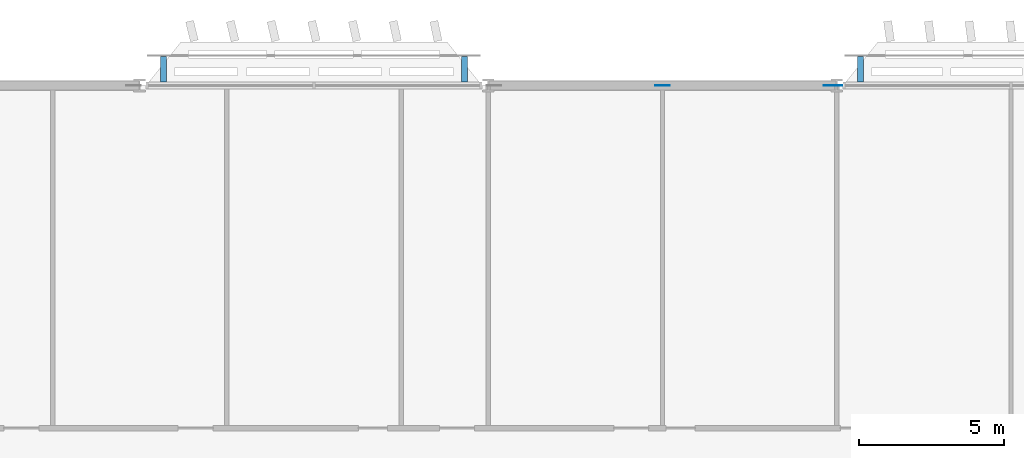
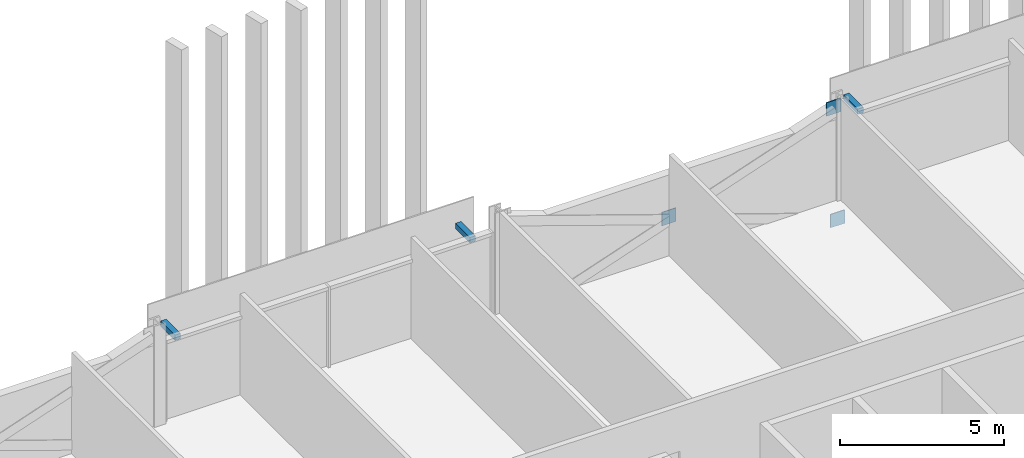
# One storey, part 21 of 33: 6 discrete accessories.
"""IFC4 building model written with IfcOpenShell, lengths in metres."""

import ifcopenshell
import ifcopenshell.guid

model = None  # the IFC model being written
_history = None  # IfcOwnerHistory: only IFC2X3 demands one
_inside = {}  # id of a spatial element -> (the spatial element, [elements in it])
_under = {}  # id of a project, library or spatial element -> (it, [spatial elements below it])
_declared = {}  # id of a project -> (the project, [libraries it declares])
_typed = {}  # id of a type object -> (the type object, [elements of that type])
_made_of = {}  # id of a material, layer set ... -> (it, [elements and type objects made of it])


def new_model(schema):
    """Start an empty IFC model of exactly this schema.

    Asked for "IFC4X3", IfcOpenShell would pick the latest addendum, in which some entities
    have other attributes; the version numbers below select the first issue.
    IFC2X3 requires an IfcOwnerHistory on every rooted entity: one is made here for all.
    """
    global model, _history
    if schema == "IFC4X3":
        model = ifcopenshell.file(schema_version=(4, 3, 0, 0))
    else:
        model = ifcopenshell.file(schema=schema)
    _inside.clear()
    _under.clear()
    _declared.clear()
    _typed.clear()
    _made_of.clear()
    _history = None
    if model.schema == "IFC2X3":
        org = make("IfcOrganization", Name="unknown")
        user = make(
            "IfcPersonAndOrganization",
            ThePerson=make("IfcPerson", FamilyName="unknown"),
            TheOrganization=org,
        )
        app = make(
            "IfcApplication",
            ApplicationDeveloper=org,
            Version="unknown",
            ApplicationFullName="unknown",
            ApplicationIdentifier="unknown",
        )
        _history = make(
            "IfcOwnerHistory",
            OwningUser=user,
            OwningApplication=app,
            ChangeAction="ADDED",
            CreationDate=0,
        )
    return model


def make(cls, **values):
    """One entity of the class cls with the attributes given. An attribute that is None is left unset."""
    return model.create_entity(
        cls, **{name: value for name, value in values.items() if value is not None}
    )


def rooted(cls, **values):
    """An entity with a GlobalId (a new one), such as an element, a storey or a relation."""
    return make(cls, GlobalId=ifcopenshell.guid.new(), OwnerHistory=_history, **values)


def si_unit(unit_type, name, prefix=None):
    """IfcSIUnit, for example si_unit("LENGTHUNIT", "METRE", prefix="MILLI")."""
    return make("IfcSIUnit", UnitType=unit_type, Prefix=prefix, Name=name)


def assignment(units):
    """IfcUnitAssignment: the units of a project."""
    return None if units is None else make("IfcUnitAssignment", Units=units)


def point(xyz):
    """IfcCartesianPoint."""
    return None if xyz is None else make("IfcCartesianPoint", Coordinates=xyz)


def direction(xyz):
    """IfcDirection."""
    return None if xyz is None else make("IfcDirection", DirectionRatios=xyz)


def frame(location, z_axis=None, x_axis=None):
    """IfcAxis2Placement3D, a coordinate frame: its origin and axes. An axis left out is left unset."""
    return make(
        "IfcAxis2Placement3D",
        Location=point(location),
        Axis=direction(z_axis),
        RefDirection=direction(x_axis),
    )


def frame_2d(location, x_axis=None):
    """IfcAxis2Placement2D, a coordinate frame in the plane: its origin and x axis."""
    return make(
        "IfcAxis2Placement2D", Location=point(location), RefDirection=direction(x_axis)
    )


def origin():
    """The frame at (0, 0, 0) with its axes left unset."""
    return frame((0.0, 0.0, 0.0))


def origin_2d():
    """The frame at (0, 0) in the plane with its x axis left unset."""
    return frame_2d((0.0, 0.0))


def place(relative_to, where):
    """IfcLocalPlacement: puts the frame where relative to a parent placement (None: the world)."""
    return make(
        "IfcLocalPlacement", PlacementRelTo=relative_to, RelativePlacement=where
    )


def context(
    kind, dimensions, precision=None, world=None, true_north=None, identifier=None
):
    """IfcGeometricRepresentationContext, for example the 3D "Model" context."""
    return make(
        "IfcGeometricRepresentationContext",
        ContextIdentifier=identifier,
        ContextType=kind,
        CoordinateSpaceDimension=dimensions,
        Precision=precision,
        WorldCoordinateSystem=world,
        TrueNorth=true_north,
    )


def subcontext(parent, identifier, kind, view, scale=None):
    """IfcGeometricRepresentationSubContext, for example "Body" below "Model"."""
    return make(
        "IfcGeometricRepresentationSubContext",
        ContextIdentifier=identifier,
        ContextType=kind,
        ParentContext=parent,
        TargetScale=scale,
        TargetView=view,
    )


def project(units=None, contexts=None):
    """IfcProject with its units and contexts."""
    return rooted(
        "IfcProject",
        Name="project",
        RepresentationContexts=contexts,
        UnitsInContext=assignment(units),
    )


def spatial(cls, under=None, at=None, **own):
    """A site, building, storey or space (cls), placed at a placement, below another one or the project."""
    s = rooted(cls, ObjectPlacement=at, **own)
    if under is not None:
        _under.setdefault(under.id(), (under, []))[1].append(s)
    return s


def profile(cls, at=None, kind="AREA", **sizes):
    """A parametric profile (cls). Its sizes go by their IFC names, for example OverallWidth=200.0."""
    return make(cls, ProfileType=kind, Position=at, **sizes)


def rectangle(**sizes):
    """IfcRectangleProfileDef."""
    return profile("IfcRectangleProfileDef", **sizes)


def extrude(swept, where, along, depth):
    """IfcExtrudedAreaSolid: the profile swept, set in the frame where, extruded along a direction by depth."""
    return make(
        "IfcExtrudedAreaSolid",
        SweptArea=swept,
        Position=where,
        ExtrudedDirection=direction(along),
        Depth=depth,
    )


def shape(context_of_items, identifier, shape_type, items):
    """IfcShapeRepresentation: the items that make up one representation, for example the "Body"."""
    return make(
        "IfcShapeRepresentation",
        ContextOfItems=context_of_items,
        RepresentationIdentifier=identifier,
        RepresentationType=shape_type,
        Items=items,
    )


def material(Name=None, Category=None):
    """IfcMaterial."""
    return make("IfcMaterial", Name=Name, Category=Category)


def layer(
    of_material, thickness, ventilated=None, Name=None, Category=None, Priority=None
):
    """IfcMaterialLayer: one layer of a wall or slab, of a material (None: an air gap)."""
    return make(
        "IfcMaterialLayer",
        Material=of_material,
        LayerThickness=thickness,
        IsVentilated=ventilated,
        Name=Name,
        Category=Category,
        Priority=Priority,
    )


def layer_set(layers, Name=None):
    """IfcMaterialLayerSet."""
    return make("IfcMaterialLayerSet", MaterialLayers=layers, LayerSetName=Name)


def made_of(thing, what):
    """Note that an element or type object is made of a material, layer set ...; save() writes the relation."""
    if what is not None:
        _made_of.setdefault(what.id(), (what, []))[1].append(thing)
    return thing


def type_object(cls, material=None, **own):
    """A type object (cls), such as IfcWallType, which elements share."""
    return made_of(rooted(cls, **own), material)


def element(
    cls,
    number,
    at=None,
    inside=None,
    cuts=None,
    type_object=None,
    material=None,
    context=None,
    identifier="Body",
    shape_type=None,
    held_by="IfcProductDefinitionShape",
    body=None,
    shapes=None,
    **own,
):
    """One element of the class cls, such as IfcWall. Its Tag is "e" and its number.

    at: its placement. inside: the storey or other place that contains it. cuts: it is an
    opening in that element (IfcRelVoidsElement). A single representation is given by context,
    identifier, shape_type and body (its items); several are given by shapes. held_by: the class
    of the entity that holds the representations. save() writes the other relations.
    """
    e = rooted(cls, Tag="e%d" % number, ObjectPlacement=at, **own)
    if body is not None:
        shapes = [shape(context, identifier, shape_type, body)]
    if shapes is not None:
        e.Representation = make(held_by, Representations=shapes)
    if inside is not None:
        _inside.setdefault(inside.id(), (inside, []))[1].append(e)
    if cuts is not None:
        rooted(
            "IfcRelVoidsElement", RelatingBuildingElement=cuts, RelatedOpeningElement=e
        )
    if type_object is not None:
        _typed.setdefault(type_object.id(), (type_object, []))[1].append(e)
    return made_of(e, material)


def aggregate(whole, parts):
    """IfcRelAggregates: a whole, such as a stair, and the parts it consists of."""
    return rooted("IfcRelAggregates", RelatingObject=whole, RelatedObjects=parts)


def save(model, path):
    """Write the relations noted so far, then the file.

    IfcRelAggregates (storeys below a building ...), IfcRelContainedInSpatialStructure (elements
    in a storey), IfcRelDefinesByType, IfcRelAssociatesMaterial and IfcRelDeclares: one each for
    every whole, place, type object, material and project.
    """
    for whole, parts in _under.values():
        aggregate(whole, parts)
    for where, things in _inside.values():
        rooted(
            "IfcRelContainedInSpatialStructure",
            RelatedElements=things,
            RelatingStructure=where,
        )
    for kind, things in _typed.values():
        rooted("IfcRelDefinesByType", RelatedObjects=things, RelatingType=kind)
    for what, things in _made_of.values():
        rooted("IfcRelAssociatesMaterial", RelatedObjects=things, RelatingMaterial=what)
    for by, libraries in _declared.values():
        rooted("IfcRelDeclares", RelatingContext=by, RelatedDefinitions=libraries)
    model.write(path)


model = new_model("IFC4")

# Units and contexts
model_context = context("Model", 3, precision=1e-05, world=origin(), true_north=direction((0.0, 1.0)))
body_context = subcontext(model_context, "Body", "Model", "MODEL_VIEW")
ifc_project = project(units=[si_unit("LENGTHUNIT", "METRE"), si_unit("AREAUNIT", "SQUARE_METRE"), si_unit("VOLUMEUNIT", "CUBIC_METRE"), si_unit("PLANEANGLEUNIT", "RADIAN"), si_unit("MASSUNIT", "GRAM", prefix="KILO")], contexts=[model_context])

# Site, building, storey
site_placement = place(None, origin())
site = spatial("IfcSite", under=ifc_project, at=site_placement, CompositionType="ELEMENT")
building_placement = place(site_placement, origin())
building = spatial("IfcBuilding", under=site, at=building_placement, Name="Mahtab Terrace Research Tower", CompositionType="ELEMENT")
storey_placement = place(building_placement, frame((0.0, 0.0, 122.0)))
storey = spatial("IfcBuildingStorey", under=building, at=storey_placement, Name="L28", CompositionType="ELEMENT", Elevation=122.0)

# Discrete accessories
ifc_material_1 = material(Name="Black anodised aluminium", Category="aluminium")
discrete_accessory_type_1 = type_object("IfcDiscreteAccessoryType", Name="Facade bracket", PredefinedType="BRACKET", material=ifc_material_1)
for number, where, z_axis, x_axis, name in (
    (1, (6.818115234375, 29.5625, 2.703125), (0.0, 0.0, 1.0), (-1.0, 0.0, 0.0), "Screen bracket Girih screen L28 N6"),
    (2, (-6.818115234375, 29.5625, 2.703125), (0.0, 0.0, 1.0), (-1.0, 0.0, 0.0), "Screen bracket Girih screen L28 N8"),
    (3, (-17.181884765625, 29.5625, 2.703125), (0.0, 0.0, 1.0), (-1.0, 0.0, 0.0), "Screen bracket Girih screen L28 N8"),
):
    element("IfcDiscreteAccessory", number, at=place(storey_placement, frame(where, z_axis=z_axis, x_axis=x_axis)), inside=storey, type_object=discrete_accessory_type_1, Name=name, PredefinedType="BRACKET", context=body_context, shape_type="SweptSolid", body=[
        extrude(rectangle(XDim=0.199951171875, YDim=0.875, at=origin_2d()), origin(), (0.0, 0.0, 1.0), 0.199951171875),
    ])
ifc_material_2 = material(Name="Steel ASTM A992 Gr 50", Category="steel")
ifc_layer = layer(ifc_material_2, 0.030029296875)
ifc_layer_set = layer_set([ifc_layer], Name="Gusset plate 500x500x30")
discrete_accessory_type_2 = type_object("IfcDiscreteAccessoryType", Name="Gusset plate 500x500x30", PredefinedType="USERDEFINED", material=ifc_layer_set)
for number, where, z_axis, x_axis, name in (
    (4, (0.0, 29.0, 1.08154296875), (0.0, 0.0, 1.0), (1.0, 0.0, 0.0), "Gusset plate"),
    (5, (5.931396484375, 29.0, -1.065185546875), (0.0, 0.0, 1.0), (1.0, 0.0, 0.0), "Gusset plate"),
    (6, (5.794189453125, 29.0, 3.131591796875), (0.0, 0.0, 1.0), (1.0, 0.0, 0.0), "Gusset plate"),
):
    element("IfcDiscreteAccessory", number, at=place(storey_placement, frame(where, z_axis=z_axis, x_axis=x_axis)), inside=storey, type_object=discrete_accessory_type_2, Name=name, ObjectType="GUSSET PLATE", PredefinedType="USERDEFINED", context=body_context, shape_type="SweptSolid", body=[
        extrude(rectangle(XDim=0.5, YDim=0.030029296875, at=origin_2d()), origin(), (0.0, 0.0, 1.0), 0.5),
    ])

save(model, "model.ifc")
